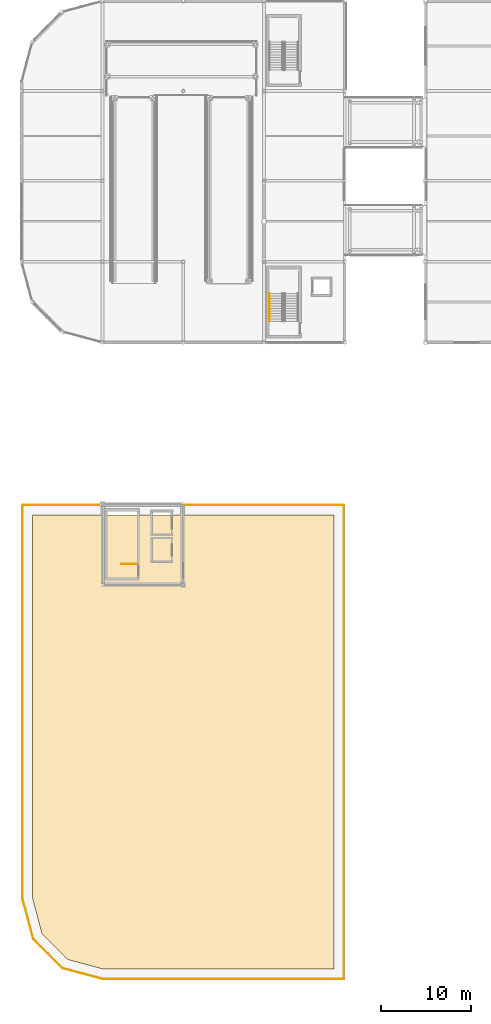
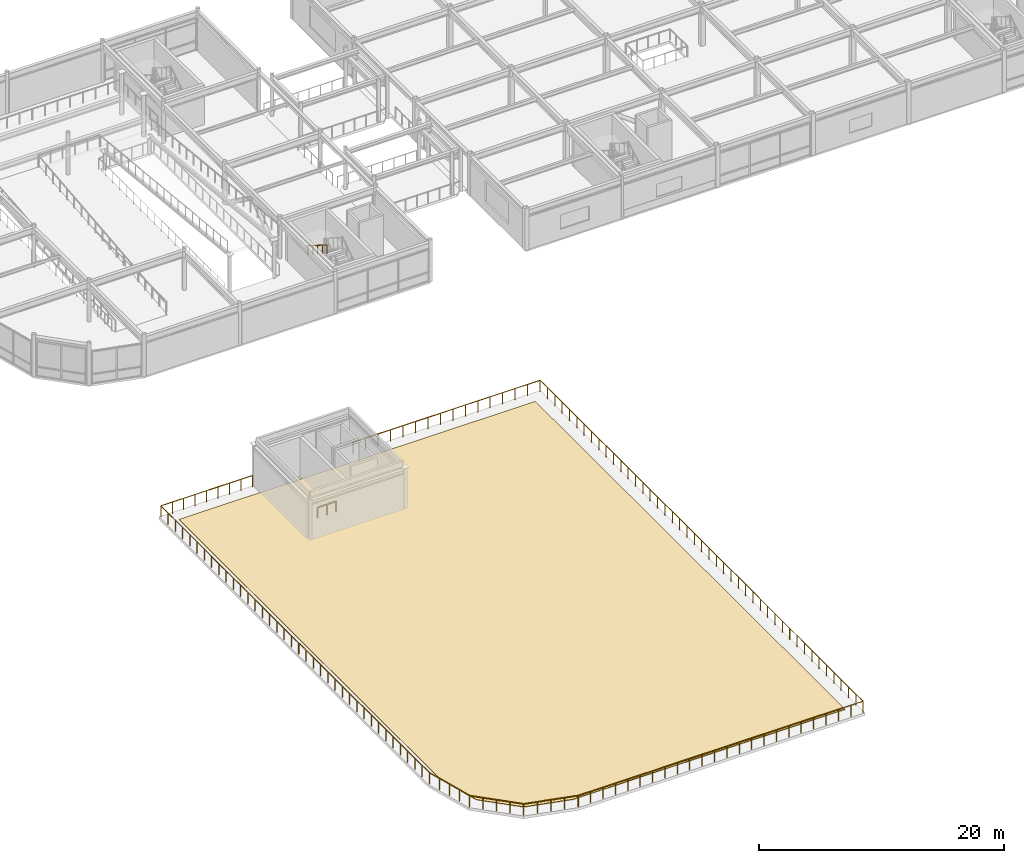
# One storey, part 58 of 70: 10 railings, 1 covering.
"""IFC4 building model written with IfcOpenShell, lengths in metres."""

from ifc_helpers import new_model, si_unit, direction, frame, origin, origin_2d, place, context, subcontext, project, spatial, polyline, circle, outline, extrude, material, layer, layer_set, type_object, element, save


model = new_model("IFC4")

# Units and contexts
model_context = context("Model", 3, precision=1e-05, world=origin(), true_north=direction((0.0, 1.0)))
body_context = subcontext(model_context, "Body", "Model", "MODEL_VIEW")
ifc_project = project(units=[si_unit("LENGTHUNIT", "METRE"), si_unit("AREAUNIT", "SQUARE_METRE"), si_unit("VOLUMEUNIT", "CUBIC_METRE"), si_unit("PLANEANGLEUNIT", "RADIAN"), si_unit("MASSUNIT", "GRAM", prefix="KILO")], contexts=[model_context])

# Site, building, storey
site_placement = place(None, origin())
site = spatial("IfcSite", under=ifc_project, at=site_placement, CompositionType="ELEMENT")
building_placement = place(site_placement, origin())
building = spatial("IfcBuilding", under=site, at=building_placement, Name="Suzunagisa Mobility Hub", CompositionType="ELEMENT")
storey_placement = place(building_placement, frame((0.0, 0.0, 13.5)))
storey = spatial("IfcBuildingStorey", under=building, at=storey_placement, Name="L03", CompositionType="ELEMENT", Elevation=13.5)

# Railings
ifc_material_1 = material(Name="Stainless Steel SUS304", Category="metal")
railing_type_1 = type_object("IfcRailingType", Name="Interior Well Guardrail IGR-01", PredefinedType="GUARDRAIL", material=ifc_material_1)
railing_1_placement = place(storey_placement, frame((12.840087890625, 55.31005859375, 0.0)))
element("IfcRailing", 1, at=railing_1_placement, inside=storey, type_object=railing_type_1, Name="L03 ST-01 top well guard 1", PredefinedType="GUARDRAIL", context=body_context, shape_type="SweptSolid", body=[
    extrude(circle(Radius=0.02392578125, at=origin_2d()), frame((0.0, 0.0, 1.09619140625), z_axis=(-1.0, 0.0, 0.0), x_axis=(0.0, -1.0, 0.0)), (0.0, 0.0, 1.0), 1.719970703125),
    extrude(circle(Radius=0.02099609375, at=origin_2d()), origin(), (0.0, 0.0, 1.0), 1.072021484375),
    extrude(circle(Radius=0.02099609375, at=origin_2d()), frame((-0.85986328125, 0.0, 0.0)), (0.0, 0.0, 1.0), 1.072021484375),
    extrude(circle(Radius=0.02099609375, at=origin_2d()), frame((-1.719970703125, 0.0, 0.0)), (0.0, 0.0, 1.0), 1.072021484375),
])
ifc_material_2 = material(Name="Anodized Aluminum and Stainless Steel SUS316", Category="metal")
railing_type_2 = type_object("IfcRailingType", Name="Streamline Ship-Deck Tubular Balustrade BL-01", PredefinedType="BALUSTRADE", material=ifc_material_2)
railing_2_placement = place(storey_placement, frame((0.1201171875, 18.015869140625, 0.0)))
element("IfcRailing", 2, at=railing_2_placement, inside=storey, type_object=railing_type_2, Name="L03 Terrace Perimeter Guardrail GR-21", PredefinedType="BALUSTRADE", context=body_context, shape_type="SweptSolid", body=[
    extrude(circle(Radius=0.02392578125, at=origin_2d()), frame((0.0, 0.0, 1.11572265625), z_axis=(0.0, 1.0, 0.0), x_axis=(-1.0, 0.0, 0.0)), (0.0, 0.0, 1.0), 43.864013671875),
    extrude(circle(Radius=0.02099609375, at=origin_2d()), origin(), (0.0, 0.0, 1.0), 1.091796875),
    extrude(circle(Radius=0.02099609375, at=origin_2d()), frame((0.0, 1.185546875, 0.0)), (0.0, 0.0, 1.0), 1.091796875),
    extrude(circle(Radius=0.02099609375, at=origin_2d()), frame((0.0, 2.37109375, 0.0)), (0.0, 0.0, 1.0), 1.091796875),
    extrude(circle(Radius=0.02099609375, at=origin_2d()), frame((0.0, 3.556640625, 0.0)), (0.0, 0.0, 1.0), 1.091796875),
    extrude(circle(Radius=0.02099609375, at=origin_2d()), frame((0.0, 4.741943359375, 0.0)), (0.0, 0.0, 1.0), 1.091796875),
    extrude(circle(Radius=0.02099609375, at=origin_2d()), frame((0.0, 5.927490234375, 0.0)), (0.0, 0.0, 1.0), 1.091796875),
    extrude(circle(Radius=0.02099609375, at=origin_2d()), frame((0.0, 7.113037109375, 0.0)), (0.0, 0.0, 1.0), 1.091796875),
    extrude(circle(Radius=0.02099609375, at=origin_2d()), frame((0.0, 8.298583984375, 0.0)), (0.0, 0.0, 1.0), 1.091796875),
    extrude(circle(Radius=0.02099609375, at=origin_2d()), frame((0.0, 9.484130859375, 0.0)), (0.0, 0.0, 1.0), 1.091796875),
    extrude(circle(Radius=0.02099609375, at=origin_2d()), frame((0.0, 10.669677734375, 0.0)), (0.0, 0.0, 1.0), 1.091796875),
    extrude(circle(Radius=0.02099609375, at=origin_2d()), frame((0.0, 11.855224609375, 0.0)), (0.0, 0.0, 1.0), 1.091796875),
    extrude(circle(Radius=0.02099609375, at=origin_2d()), frame((0.0, 13.040771484375, 0.0)), (0.0, 0.0, 1.0), 1.091796875),
    extrude(circle(Radius=0.02099609375, at=origin_2d()), frame((0.0, 14.22607421875, 0.0)), (0.0, 0.0, 1.0), 1.091796875),
    extrude(circle(Radius=0.02099609375, at=origin_2d()), frame((0.0, 15.41162109375, 0.0)), (0.0, 0.0, 1.0), 1.091796875),
    extrude(circle(Radius=0.02099609375, at=origin_2d()), frame((0.0, 16.59716796875, 0.0)), (0.0, 0.0, 1.0), 1.091796875),
    extrude(circle(Radius=0.02099609375, at=origin_2d()), frame((0.0, 17.78271484375, 0.0)), (0.0, 0.0, 1.0), 1.091796875),
    extrude(circle(Radius=0.02099609375, at=origin_2d()), frame((0.0, 18.96826171875, 0.0)), (0.0, 0.0, 1.0), 1.091796875),
    extrude(circle(Radius=0.02099609375, at=origin_2d()), frame((0.0, 20.15380859375, 0.0)), (0.0, 0.0, 1.0), 1.091796875),
    extrude(circle(Radius=0.02099609375, at=origin_2d()), frame((0.0, 21.33935546875, 0.0)), (0.0, 0.0, 1.0), 1.091796875),
    extrude(circle(Radius=0.02099609375, at=origin_2d()), frame((0.0, 22.524658203125, 0.0)), (0.0, 0.0, 1.0), 1.091796875),
    extrude(circle(Radius=0.02099609375, at=origin_2d()), frame((0.0, 23.710205078125, 0.0)), (0.0, 0.0, 1.0), 1.091796875),
    extrude(circle(Radius=0.02099609375, at=origin_2d()), frame((0.0, 24.895751953125, 0.0)), (0.0, 0.0, 1.0), 1.091796875),
    extrude(circle(Radius=0.02099609375, at=origin_2d()), frame((0.0, 26.081298828125, 0.0)), (0.0, 0.0, 1.0), 1.091796875),
    extrude(circle(Radius=0.02099609375, at=origin_2d()), frame((0.0, 27.266845703125, 0.0)), (0.0, 0.0, 1.0), 1.091796875),
    extrude(circle(Radius=0.02099609375, at=origin_2d()), frame((0.0, 28.452392578125, 0.0)), (0.0, 0.0, 1.0), 1.091796875),
    extrude(circle(Radius=0.02099609375, at=origin_2d()), frame((0.0, 29.637939453125, 0.0)), (0.0, 0.0, 1.0), 1.091796875),
    extrude(circle(Radius=0.02099609375, at=origin_2d()), frame((0.0, 30.8232421875, 0.0)), (0.0, 0.0, 1.0), 1.091796875),
    extrude(circle(Radius=0.02099609375, at=origin_2d()), frame((0.0, 32.0087890625, 0.0)), (0.0, 0.0, 1.0), 1.091796875),
    extrude(circle(Radius=0.02099609375, at=origin_2d()), frame((0.0, 33.1943359375, 0.0)), (0.0, 0.0, 1.0), 1.091796875),
    extrude(circle(Radius=0.02099609375, at=origin_2d()), frame((0.0, 34.3798828125, 0.0)), (0.0, 0.0, 1.0), 1.091796875),
    extrude(circle(Radius=0.02099609375, at=origin_2d()), frame((0.0, 35.5654296875, 0.0)), (0.0, 0.0, 1.0), 1.091796875),
    extrude(circle(Radius=0.02099609375, at=origin_2d()), frame((0.0, 36.7509765625, 0.0)), (0.0, 0.0, 1.0), 1.091796875),
    extrude(circle(Radius=0.02099609375, at=origin_2d()), frame((0.0, 37.9365234375, 0.0)), (0.0, 0.0, 1.0), 1.091796875),
    extrude(circle(Radius=0.02099609375, at=origin_2d()), frame((0.0, 39.1220703125, 0.0)), (0.0, 0.0, 1.0), 1.091796875),
    extrude(circle(Radius=0.02099609375, at=origin_2d()), frame((0.0, 40.307373046875, 0.0)), (0.0, 0.0, 1.0), 1.091796875),
    extrude(circle(Radius=0.02099609375, at=origin_2d()), frame((0.0, 41.492919921875, 0.0)), (0.0, 0.0, 1.0), 1.091796875),
    extrude(circle(Radius=0.02099609375, at=origin_2d()), frame((0.0, 42.678466796875, 0.0)), (0.0, 0.0, 1.0), 1.091796875),
    extrude(circle(Radius=0.02099609375, at=origin_2d()), frame((0.0, 43.864013671875, 0.0)), (0.0, 0.0, 1.0), 1.091796875),
])
railing_3_placement = place(storey_placement, frame((0.1201171875, 61.8798828125, 0.0)))
element("IfcRailing", 3, at=railing_3_placement, inside=storey, type_object=railing_type_2, Name="L03 Terrace Perimeter Guardrail GR-22", PredefinedType="BALUSTRADE", context=body_context, shape_type="SweptSolid", body=[
    extrude(circle(Radius=0.02392578125, at=origin_2d()), frame((0.0, 0.0, 1.11572265625), z_axis=(1.0, 0.0, 0.0), x_axis=(0.0, 1.0, 0.0)), (0.0, 0.0, 1.0), 8.6298828125),
    extrude(circle(Radius=0.02099609375, at=origin_2d()), origin(), (0.0, 0.0, 1.0), 1.091796875),
    extrude(circle(Radius=0.02099609375, at=origin_2d()), frame((1.07861328125, 0.0, 0.0)), (0.0, 0.0, 1.0), 1.091796875),
    extrude(circle(Radius=0.02099609375, at=origin_2d()), frame((2.157470703125, 0.0, 0.0)), (0.0, 0.0, 1.0), 1.091796875),
    extrude(circle(Radius=0.02099609375, at=origin_2d()), frame((3.236328125, 0.0, 0.0)), (0.0, 0.0, 1.0), 1.091796875),
    extrude(circle(Radius=0.02099609375, at=origin_2d()), frame((4.31494140625, 0.0, 0.0)), (0.0, 0.0, 1.0), 1.091796875),
    extrude(circle(Radius=0.02099609375, at=origin_2d()), frame((5.3935546875, 0.0, 0.0)), (0.0, 0.0, 1.0), 1.091796875),
    extrude(circle(Radius=0.02099609375, at=origin_2d()), frame((6.472412109375, 0.0, 0.0)), (0.0, 0.0, 1.0), 1.091796875),
    extrude(circle(Radius=0.02099609375, at=origin_2d()), frame((7.55126953125, 0.0, 0.0)), (0.0, 0.0, 1.0), 1.091796875),
    extrude(circle(Radius=0.02099609375, at=origin_2d()), frame((8.6298828125, 0.0, 0.0)), (0.0, 0.0, 1.0), 1.091796875),
])
railing_4_placement = place(storey_placement, frame((18.25, 61.8798828125, 0.0)))
element("IfcRailing", 4, at=railing_4_placement, inside=storey, type_object=railing_type_2, Name="L03 Terrace Perimeter Guardrail GR-23", PredefinedType="BALUSTRADE", context=body_context, shape_type="SweptSolid", body=[
    extrude(circle(Radius=0.02392578125, at=origin_2d()), frame((0.0, 0.0, 1.11572265625), z_axis=(1.0, 0.0, 0.0), x_axis=(0.0, 1.0, 0.0)), (0.0, 0.0, 1.0), 17.6298828125),
    extrude(circle(Radius=0.02099609375, at=origin_2d()), origin(), (0.0, 0.0, 1.0), 1.091796875),
    extrude(circle(Radius=0.02099609375, at=origin_2d()), frame((1.17529296875, 0.0, 0.0)), (0.0, 0.0, 1.0), 1.091796875),
    extrude(circle(Radius=0.02099609375, at=origin_2d()), frame((2.3505859375, 0.0, 0.0)), (0.0, 0.0, 1.0), 1.091796875),
    extrude(circle(Radius=0.02099609375, at=origin_2d()), frame((3.52587890625, 0.0, 0.0)), (0.0, 0.0, 1.0), 1.091796875),
    extrude(circle(Radius=0.02099609375, at=origin_2d()), frame((4.701416015625, 0.0, 0.0)), (0.0, 0.0, 1.0), 1.091796875),
    extrude(circle(Radius=0.02099609375, at=origin_2d()), frame((5.876708984375, 0.0, 0.0)), (0.0, 0.0, 1.0), 1.091796875),
    extrude(circle(Radius=0.02099609375, at=origin_2d()), frame((7.052001953125, 0.0, 0.0)), (0.0, 0.0, 1.0), 1.091796875),
    extrude(circle(Radius=0.02099609375, at=origin_2d()), frame((8.227294921875, 0.0, 0.0)), (0.0, 0.0, 1.0), 1.091796875),
    extrude(circle(Radius=0.02099609375, at=origin_2d()), frame((9.402587890625, 0.0, 0.0)), (0.0, 0.0, 1.0), 1.091796875),
    extrude(circle(Radius=0.02099609375, at=origin_2d()), frame((10.577880859375, 0.0, 0.0)), (0.0, 0.0, 1.0), 1.091796875),
    extrude(circle(Radius=0.02099609375, at=origin_2d()), frame((11.753173828125, 0.0, 0.0)), (0.0, 0.0, 1.0), 1.091796875),
    extrude(circle(Radius=0.02099609375, at=origin_2d()), frame((12.928466796875, 0.0, 0.0)), (0.0, 0.0, 1.0), 1.091796875),
    extrude(circle(Radius=0.02099609375, at=origin_2d()), frame((14.10400390625, 0.0, 0.0)), (0.0, 0.0, 1.0), 1.091796875),
    extrude(circle(Radius=0.02099609375, at=origin_2d()), frame((15.279296875, 0.0, 0.0)), (0.0, 0.0, 1.0), 1.091796875),
    extrude(circle(Radius=0.02099609375, at=origin_2d()), frame((16.45458984375, 0.0, 0.0)), (0.0, 0.0, 1.0), 1.091796875),
    extrude(circle(Radius=0.02099609375, at=origin_2d()), frame((17.6298828125, 0.0, 0.0)), (0.0, 0.0, 1.0), 1.091796875),
])
railing_5_placement = place(storey_placement, frame((35.8798828125, 61.8798828125, 0.0)))
element("IfcRailing", 5, at=railing_5_placement, inside=storey, type_object=railing_type_2, Name="L03 Terrace Perimeter Guardrail GR-24", PredefinedType="BALUSTRADE", context=body_context, shape_type="SweptSolid", body=[
    extrude(circle(Radius=0.02392578125, at=origin_2d()), frame((0.0, 0.0, 1.11572265625), z_axis=(0.0, -1.0, 0.0), x_axis=(1.0, 0.0, 0.0)), (0.0, 0.0, 1.0), 52.759765625),
    extrude(circle(Radius=0.02099609375, at=origin_2d()), origin(), (0.0, 0.0, 1.0), 1.091796875),
    extrude(circle(Radius=0.02099609375, at=origin_2d()), frame((0.0, -1.198974609375, 0.0)), (0.0, 0.0, 1.0), 1.091796875),
    extrude(circle(Radius=0.02099609375, at=origin_2d()), frame((0.0, -2.398193359375, 0.0)), (0.0, 0.0, 1.0), 1.091796875),
    extrude(circle(Radius=0.02099609375, at=origin_2d()), frame((0.0, -3.59716796875, 0.0)), (0.0, 0.0, 1.0), 1.091796875),
    extrude(circle(Radius=0.02099609375, at=origin_2d()), frame((0.0, -4.79638671875, 0.0)), (0.0, 0.0, 1.0), 1.091796875),
    extrude(circle(Radius=0.02099609375, at=origin_2d()), frame((0.0, -5.995361328125, 0.0)), (0.0, 0.0, 1.0), 1.091796875),
    extrude(circle(Radius=0.02099609375, at=origin_2d()), frame((0.0, -7.194580078125, 0.0)), (0.0, 0.0, 1.0), 1.091796875),
    extrude(circle(Radius=0.02099609375, at=origin_2d()), frame((0.0, -8.3935546875, 0.0)), (0.0, 0.0, 1.0), 1.091796875),
    extrude(circle(Radius=0.02099609375, at=origin_2d()), frame((0.0, -9.5927734375, 0.0)), (0.0, 0.0, 1.0), 1.091796875),
    extrude(circle(Radius=0.02099609375, at=origin_2d()), frame((0.0, -10.791748046875, 0.0)), (0.0, 0.0, 1.0), 1.091796875),
    extrude(circle(Radius=0.02099609375, at=origin_2d()), frame((0.0, -11.990966796875, 0.0)), (0.0, 0.0, 1.0), 1.091796875),
    extrude(circle(Radius=0.02099609375, at=origin_2d()), frame((0.0, -13.18994140625, 0.0)), (0.0, 0.0, 1.0), 1.091796875),
    extrude(circle(Radius=0.02099609375, at=origin_2d()), frame((0.0, -14.388916015625, 0.0)), (0.0, 0.0, 1.0), 1.091796875),
    extrude(circle(Radius=0.02099609375, at=origin_2d()), frame((0.0, -15.588134765625, 0.0)), (0.0, 0.0, 1.0), 1.091796875),
    extrude(circle(Radius=0.02099609375, at=origin_2d()), frame((0.0, -16.787109375, 0.0)), (0.0, 0.0, 1.0), 1.091796875),
    extrude(circle(Radius=0.02099609375, at=origin_2d()), frame((0.0, -17.986328125, 0.0)), (0.0, 0.0, 1.0), 1.091796875),
    extrude(circle(Radius=0.02099609375, at=origin_2d()), frame((0.0, -19.185302734375, 0.0)), (0.0, 0.0, 1.0), 1.091796875),
    extrude(circle(Radius=0.02099609375, at=origin_2d()), frame((0.0, -20.384521484375, 0.0)), (0.0, 0.0, 1.0), 1.091796875),
    extrude(circle(Radius=0.02099609375, at=origin_2d()), frame((0.0, -21.58349609375, 0.0)), (0.0, 0.0, 1.0), 1.091796875),
    extrude(circle(Radius=0.02099609375, at=origin_2d()), frame((0.0, -22.78271484375, 0.0)), (0.0, 0.0, 1.0), 1.091796875),
    extrude(circle(Radius=0.02099609375, at=origin_2d()), frame((0.0, -23.981689453125, 0.0)), (0.0, 0.0, 1.0), 1.091796875),
    extrude(circle(Radius=0.02099609375, at=origin_2d()), frame((0.0, -25.180908203125, 0.0)), (0.0, 0.0, 1.0), 1.091796875),
    extrude(circle(Radius=0.02099609375, at=origin_2d()), frame((0.0, -26.3798828125, 0.0)), (0.0, 0.0, 1.0), 1.091796875),
    extrude(circle(Radius=0.02099609375, at=origin_2d()), frame((0.0, -27.578857421875, 0.0)), (0.0, 0.0, 1.0), 1.091796875),
    extrude(circle(Radius=0.02099609375, at=origin_2d()), frame((0.0, -28.778076171875, 0.0)), (0.0, 0.0, 1.0), 1.091796875),
    extrude(circle(Radius=0.02099609375, at=origin_2d()), frame((0.0, -29.97705078125, 0.0)), (0.0, 0.0, 1.0), 1.091796875),
    extrude(circle(Radius=0.02099609375, at=origin_2d()), frame((0.0, -31.17626953125, 0.0)), (0.0, 0.0, 1.0), 1.091796875),
    extrude(circle(Radius=0.02099609375, at=origin_2d()), frame((0.0, -32.375244140625, 0.0)), (0.0, 0.0, 1.0), 1.091796875),
    extrude(circle(Radius=0.02099609375, at=origin_2d()), frame((0.0, -33.574462890625, 0.0)), (0.0, 0.0, 1.0), 1.091796875),
    extrude(circle(Radius=0.02099609375, at=origin_2d()), frame((0.0, -34.7734375, 0.0)), (0.0, 0.0, 1.0), 1.091796875),
    extrude(circle(Radius=0.02099609375, at=origin_2d()), frame((0.0, -35.97265625, 0.0)), (0.0, 0.0, 1.0), 1.091796875),
    extrude(circle(Radius=0.02099609375, at=origin_2d()), frame((0.0, -37.171630859375, 0.0)), (0.0, 0.0, 1.0), 1.091796875),
    extrude(circle(Radius=0.02099609375, at=origin_2d()), frame((0.0, -38.370849609375, 0.0)), (0.0, 0.0, 1.0), 1.091796875),
    extrude(circle(Radius=0.02099609375, at=origin_2d()), frame((0.0, -39.56982421875, 0.0)), (0.0, 0.0, 1.0), 1.091796875),
    extrude(circle(Radius=0.02099609375, at=origin_2d()), frame((0.0, -40.768798828125, 0.0)), (0.0, 0.0, 1.0), 1.091796875),
    extrude(circle(Radius=0.02099609375, at=origin_2d()), frame((0.0, -41.968017578125, 0.0)), (0.0, 0.0, 1.0), 1.091796875),
    extrude(circle(Radius=0.02099609375, at=origin_2d()), frame((0.0, -43.1669921875, 0.0)), (0.0, 0.0, 1.0), 1.091796875),
    extrude(circle(Radius=0.02099609375, at=origin_2d()), frame((0.0, -44.3662109375, 0.0)), (0.0, 0.0, 1.0), 1.091796875),
    extrude(circle(Radius=0.02099609375, at=origin_2d()), frame((0.0, -45.565185546875, 0.0)), (0.0, 0.0, 1.0), 1.091796875),
    extrude(circle(Radius=0.02099609375, at=origin_2d()), frame((0.0, -46.764404296875, 0.0)), (0.0, 0.0, 1.0), 1.091796875),
    extrude(circle(Radius=0.02099609375, at=origin_2d()), frame((0.0, -47.96337890625, 0.0)), (0.0, 0.0, 1.0), 1.091796875),
    extrude(circle(Radius=0.02099609375, at=origin_2d()), frame((0.0, -49.16259765625, 0.0)), (0.0, 0.0, 1.0), 1.091796875),
    extrude(circle(Radius=0.02099609375, at=origin_2d()), frame((0.0, -50.361572265625, 0.0)), (0.0, 0.0, 1.0), 1.091796875),
    extrude(circle(Radius=0.02099609375, at=origin_2d()), frame((0.0, -51.560791015625, 0.0)), (0.0, 0.0, 1.0), 1.091796875),
    extrude(circle(Radius=0.02099609375, at=origin_2d()), frame((0.0, -52.759765625, 0.0)), (0.0, 0.0, 1.0), 1.091796875),
])
railing_6_placement = place(storey_placement, frame((35.8798828125, 9.1201171875, 0.0)))
element("IfcRailing", 6, at=railing_6_placement, inside=storey, type_object=railing_type_2, Name="L03 Terrace Perimeter Guardrail GR-25", PredefinedType="BALUSTRADE", context=body_context, shape_type="SweptSolid", body=[
    extrude(circle(Radius=0.02392578125, at=origin_2d()), frame((0.0, 0.0, 1.11572265625), z_axis=(-1.0, 0.0, 0.0), x_axis=(0.0, -1.0, 0.0)), (0.0, 0.0, 1.0), 26.864013671875),
    extrude(circle(Radius=0.02099609375, at=origin_2d()), origin(), (0.0, 0.0, 1.0), 1.091796875),
    extrude(circle(Radius=0.02099609375, at=origin_2d()), frame((-1.16796875, 0.0, 0.0)), (0.0, 0.0, 1.0), 1.091796875),
    extrude(circle(Radius=0.02099609375, at=origin_2d()), frame((-2.3359375, 0.0, 0.0)), (0.0, 0.0, 1.0), 1.091796875),
    extrude(circle(Radius=0.02099609375, at=origin_2d()), frame((-3.50390625, 0.0, 0.0)), (0.0, 0.0, 1.0), 1.091796875),
    extrude(circle(Radius=0.02099609375, at=origin_2d()), frame((-4.672119140625, 0.0, 0.0)), (0.0, 0.0, 1.0), 1.091796875),
    extrude(circle(Radius=0.02099609375, at=origin_2d()), frame((-5.840087890625, 0.0, 0.0)), (0.0, 0.0, 1.0), 1.091796875),
    extrude(circle(Radius=0.02099609375, at=origin_2d()), frame((-7.008056640625, 0.0, 0.0)), (0.0, 0.0, 1.0), 1.091796875),
    extrude(circle(Radius=0.02099609375, at=origin_2d()), frame((-8.176025390625, 0.0, 0.0)), (0.0, 0.0, 1.0), 1.091796875),
    extrude(circle(Radius=0.02099609375, at=origin_2d()), frame((-9.343994140625, 0.0, 0.0)), (0.0, 0.0, 1.0), 1.091796875),
    extrude(circle(Radius=0.02099609375, at=origin_2d()), frame((-10.511962890625, 0.0, 0.0)), (0.0, 0.0, 1.0), 1.091796875),
    extrude(circle(Radius=0.02099609375, at=origin_2d()), frame((-11.679931640625, 0.0, 0.0)), (0.0, 0.0, 1.0), 1.091796875),
    extrude(circle(Radius=0.02099609375, at=origin_2d()), frame((-12.847900390625, 0.0, 0.0)), (0.0, 0.0, 1.0), 1.091796875),
    extrude(circle(Radius=0.02099609375, at=origin_2d()), frame((-14.01611328125, 0.0, 0.0)), (0.0, 0.0, 1.0), 1.091796875),
    extrude(circle(Radius=0.02099609375, at=origin_2d()), frame((-15.18408203125, 0.0, 0.0)), (0.0, 0.0, 1.0), 1.091796875),
    extrude(circle(Radius=0.02099609375, at=origin_2d()), frame((-16.35205078125, 0.0, 0.0)), (0.0, 0.0, 1.0), 1.091796875),
    extrude(circle(Radius=0.02099609375, at=origin_2d()), frame((-17.52001953125, 0.0, 0.0)), (0.0, 0.0, 1.0), 1.091796875),
    extrude(circle(Radius=0.02099609375, at=origin_2d()), frame((-18.68798828125, 0.0, 0.0)), (0.0, 0.0, 1.0), 1.091796875),
    extrude(circle(Radius=0.02099609375, at=origin_2d()), frame((-19.85595703125, 0.0, 0.0)), (0.0, 0.0, 1.0), 1.091796875),
    extrude(circle(Radius=0.02099609375, at=origin_2d()), frame((-21.02392578125, 0.0, 0.0)), (0.0, 0.0, 1.0), 1.091796875),
    extrude(circle(Radius=0.02099609375, at=origin_2d()), frame((-22.19189453125, 0.0, 0.0)), (0.0, 0.0, 1.0), 1.091796875),
    extrude(circle(Radius=0.02099609375, at=origin_2d()), frame((-23.360107421875, 0.0, 0.0)), (0.0, 0.0, 1.0), 1.091796875),
    extrude(circle(Radius=0.02099609375, at=origin_2d()), frame((-24.528076171875, 0.0, 0.0)), (0.0, 0.0, 1.0), 1.091796875),
    extrude(circle(Radius=0.02099609375, at=origin_2d()), frame((-25.696044921875, 0.0, 0.0)), (0.0, 0.0, 1.0), 1.091796875),
    extrude(circle(Radius=0.02099609375, at=origin_2d()), frame((-26.864013671875, 0.0, 0.0)), (0.0, 0.0, 1.0), 1.091796875),
])
railing_7_placement = place(storey_placement, frame((9.015869140625, 9.1201171875, 0.0)))
element("IfcRailing", 7, at=railing_7_placement, inside=storey, type_object=railing_type_2, Name="L03 Terrace Perimeter Guardrail GR-26", PredefinedType="BALUSTRADE", context=body_context, shape_type="SweptSolid", body=[
    extrude(circle(Radius=0.02392578125, at=origin_2d()), frame((0.0, 0.0, 1.11572265625), z_axis=(-0.965928435479, 0.258809307275, 0.0), x_axis=(-0.258809307275, -0.965928435479, 0.0)), (0.0, 0.0, 1.0), 4.61083984375),
    extrude(circle(Radius=0.02099609375, at=origin_2d()), origin(), (0.0, 0.0, 1.0), 1.091796875),
    extrude(circle(Radius=0.02099609375, at=origin_2d()), frame((-1.113525390625, 0.29833984375, 0.0)), (0.0, 0.0, 1.0), 1.091796875),
    extrude(circle(Radius=0.02099609375, at=origin_2d()), frame((-2.22705078125, 0.5966796875, 0.0)), (0.0, 0.0, 1.0), 1.091796875),
    extrude(circle(Radius=0.02099609375, at=origin_2d()), frame((-3.34033203125, 0.89501953125, 0.0)), (0.0, 0.0, 1.0), 1.091796875),
    extrude(circle(Radius=0.02099609375, at=origin_2d()), frame((-4.453857421875, 1.193359375, 0.0)), (0.0, 0.0, 1.0), 1.091796875),
])
railing_8_placement = place(storey_placement, frame((4.56201171875, 10.3134765625, 0.0)))
element("IfcRailing", 8, at=railing_8_placement, inside=storey, type_object=railing_type_2, Name="L03 Terrace Perimeter Guardrail GR-27", PredefinedType="BALUSTRADE", context=body_context, shape_type="SweptSolid", body=[
    extrude(circle(Radius=0.02392578125, at=origin_2d()), frame((0.0, 0.0, 1.11572265625), z_axis=(-0.707106781187, 0.707106781187, 0.0), x_axis=(-0.707106781187, -0.707106781187, 0.0)), (0.0, 0.0, 1.0), 4.59423828125),
    extrude(circle(Radius=0.02099609375, at=origin_2d()), origin(), (0.0, 0.0, 1.0), 1.091796875),
    extrude(circle(Radius=0.02099609375, at=origin_2d()), frame((-0.81201171875, 0.81201171875, 0.0)), (0.0, 0.0, 1.0), 1.091796875),
    extrude(circle(Radius=0.02099609375, at=origin_2d()), frame((-1.624267578125, 1.624267578125, 0.0)), (0.0, 0.0, 1.0), 1.091796875),
    extrude(circle(Radius=0.02099609375, at=origin_2d()), frame((-2.4365234375, 2.4365234375, 0.0)), (0.0, 0.0, 1.0), 1.091796875),
    extrude(circle(Radius=0.02099609375, at=origin_2d()), frame((-3.24853515625, 3.24853515625, 0.0)), (0.0, 0.0, 1.0), 1.091796875),
])
railing_9_placement = place(storey_placement, frame((1.3134765625, 13.56201171875, 0.0)))
element("IfcRailing", 9, at=railing_9_placement, inside=storey, type_object=railing_type_2, Name="L03 Terrace Perimeter Guardrail GR-28", PredefinedType="BALUSTRADE", context=body_context, shape_type="SweptSolid", body=[
    extrude(circle(Radius=0.02392578125, at=origin_2d()), frame((0.0, 0.0, 1.11572265625), z_axis=(-0.258809307275, 0.965928435479, 0.0), x_axis=(-0.965928435479, -0.258809307275, 0.0)), (0.0, 0.0, 1.0), 4.61083984375),
    extrude(circle(Radius=0.02099609375, at=origin_2d()), origin(), (0.0, 0.0, 1.0), 1.091796875),
    extrude(circle(Radius=0.02099609375, at=origin_2d()), frame((-0.29833984375, 1.113525390625, 0.0)), (0.0, 0.0, 1.0), 1.091796875),
    extrude(circle(Radius=0.02099609375, at=origin_2d()), frame((-0.5966796875, 2.22705078125, 0.0)), (0.0, 0.0, 1.0), 1.091796875),
    extrude(circle(Radius=0.02099609375, at=origin_2d()), frame((-0.89501953125, 3.34033203125, 0.0)), (0.0, 0.0, 1.0), 1.091796875),
    extrude(circle(Radius=0.02099609375, at=origin_2d()), frame((-1.193359375, 4.453857421875, 0.0)), (0.0, 0.0, 1.0), 1.091796875),
])

# Covering
ifc_material_3 = material(Name="TPO Waterproof Membrane over Rigid Insulation")
ifc_layer = layer(ifc_material_3, 0.044921875)
ifc_layer_set = layer_set([ifc_layer], Name="TPO Waterproof Membrane over Rigid Insulation")
covering_type = type_object("IfcCoveringType", Name="TPO Insulated Waterproof Roof Membrane RF-01", PredefinedType="ROOFING", material=ifc_layer_set)
covering_placement = place(storey_placement, origin())
element("IfcCovering", 10, at=covering_placement, inside=storey, type_object=covering_type, Name="L03 Terrace Deck Waterproofing Layer RF-56", PredefinedType="ROOFING", context=body_context, shape_type="SweptSolid", body=[
    extrude(outline(polyline([(1.199951171875, 18.157958984375), (1.199951171875, 60.800048828125), (34.800048828125, 60.800048828125), (34.800048828125, 10.199951171875), (9.157958984375, 10.199951171875), (5.12109375, 11.28173828125), (2.28173828125, 14.12109375), (1.199951171875, 18.157958984375)])), origin(), (0.0, 0.0, 1.0), 0.044921875),
])

# Railing
railing_type_3 = type_object("IfcRailingType", Name="Tubular Stainless Stair Handrail IHR-01", PredefinedType="HANDRAIL", material=ifc_material_1)
railing_10_placement = place(storey_placement, frame((27.610107421875, 85.43994140625, 2.27490234375)))
element("IfcRailing", 11, at=railing_10_placement, inside=storey, type_object=railing_type_3, Name="L03 ST-05 stair handrail 2", PredefinedType="HANDRAIL", context=body_context, shape_type="SweptSolid", body=[
    extrude(circle(Radius=0.02392578125, at=origin_2d()), frame((0.0, 0.0, 0.8759765625), z_axis=(0.0, -0.847979421464, 0.530029150871), x_axis=(1.0, 0.0, 0.0)), (0.0, 0.0, 1.0), 3.632080078125),
    extrude(circle(Radius=0.02099609375, at=origin_2d()), origin(), (0.0, 0.0, 1.0), 0.851806640625),
    extrude(circle(Radius=0.02099609375, at=origin_2d()), frame((0.0, -0.77001953125, 0.481201171875)), (0.0, 0.0, 1.0), 0.851806640625),
    extrude(circle(Radius=0.02099609375, at=origin_2d()), frame((0.0, -1.5400390625, 0.96240234375)), (0.0, 0.0, 1.0), 0.851806640625),
    extrude(circle(Radius=0.02099609375, at=origin_2d()), frame((0.0, -2.309814453125, 1.44384765625)), (0.0, 0.0, 1.0), 0.851806640625),
    extrude(circle(Radius=0.02099609375, at=origin_2d()), frame((0.0, -3.079833984375, 1.925048828125)), (0.0, 0.0, 1.0), 0.851806640625),
])

save(model, "model.ifc")
